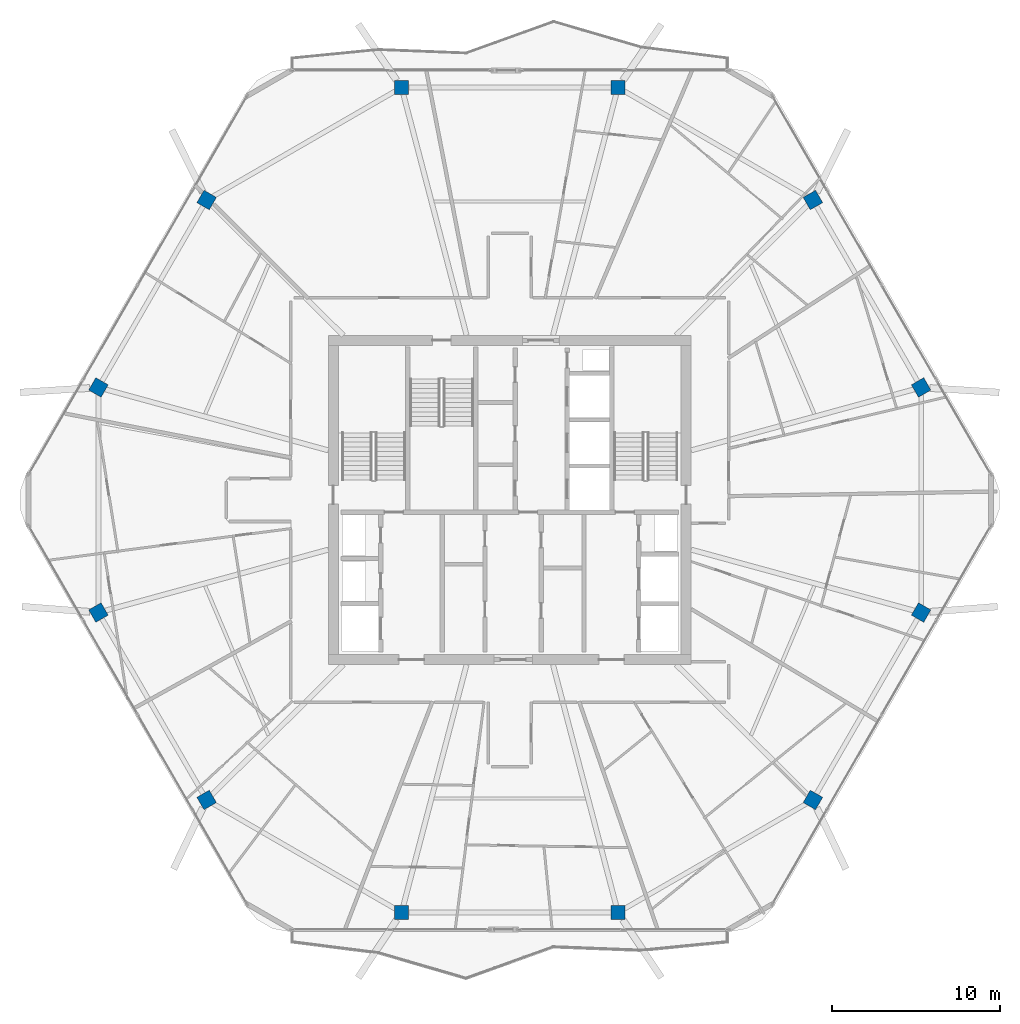
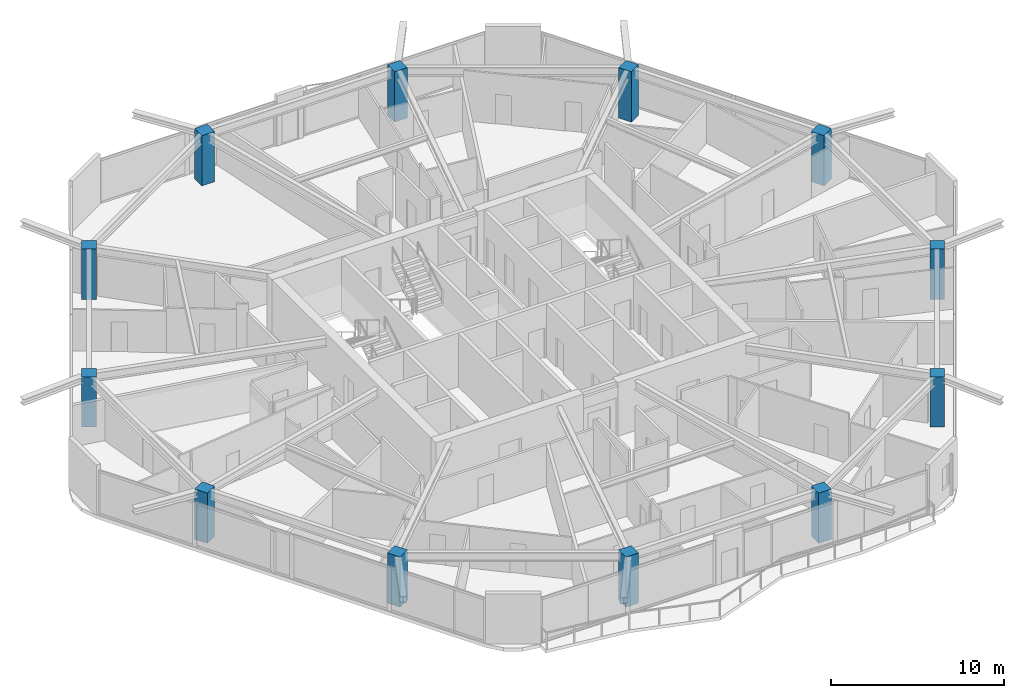
# One storey, part 1 of 26: 12 columns.
"""IFC4 building model written with IfcOpenShell, lengths in metres."""

from ifc_helpers import new_model, si_unit, direction, frame, origin, origin_2d, place, context, subcontext, project, spatial, rectangle, extrude, material, material_profile, profile_set, type_object, element, save


model = new_model("IFC4")

# Units and contexts
model_context = context("Model", 3, precision=1e-05, world=origin(), true_north=direction((0.0, 1.0)))
body_context = subcontext(model_context, "Body", "Model", "MODEL_VIEW")
ifc_project = project(units=[si_unit("LENGTHUNIT", "METRE"), si_unit("AREAUNIT", "SQUARE_METRE"), si_unit("VOLUMEUNIT", "CUBIC_METRE"), si_unit("PLANEANGLEUNIT", "RADIAN"), si_unit("MASSUNIT", "GRAM", prefix="KILO")], contexts=[model_context])

# Site, building, storey
site_placement = place(None, origin())
site = spatial("IfcSite", under=ifc_project, at=site_placement, CompositionType="ELEMENT")
building_placement = place(site_placement, origin())
building = spatial("IfcBuilding", under=site, at=building_placement, Name="Zuhravey Tower", CompositionType="ELEMENT")
storey_placement = place(building_placement, frame((0.0, 0.0, 288.199951171875)))
storey = spatial("IfcBuildingStorey", under=building, at=storey_placement, Name="L73", CompositionType="ELEMENT", Elevation=288.199951171875)

# Columns
ifc_material = material(Name="Concrete C50/60", Category="concrete")
ifc_material_profile = material_profile(ifc_material, rectangle(XDim=0.85009765625, YDim=0.85009765625, at=origin_2d()), Name="RC-850x850")
ifc_profile_set = profile_set([ifc_material_profile], Name="Concrete C50/60")
column_type = type_object("IfcColumnType", Name="Zone 3 Upper Column 850x850", PredefinedType="COLUMN", material=ifc_profile_set)
for number, where, z_axis, x_axis, name in (
    (1, (60.484619140625, 38.698974609375, 0.0), (0.0, 0.0, 1.0), (-0.5, 0.866025403784, 0.0), "L73 Perimeter Column PC01"),
    (2, (54.043701171875, 49.854736328125, 0.0), (0.0, 0.0, 1.0), (-0.5, 0.866025403784, 0.0), "L73 Perimeter Column PC02"),
    (3, (42.44091796875, 56.5537109375, 0.0), (0.0, 0.0, 1.0), (-1.0, 0.0, 0.0), "L73 Perimeter Column PC03"),
    (4, (29.55908203125, 56.5537109375, 0.0), (0.0, 0.0, 1.0), (-1.0, 0.0, 0.0), "L73 Perimeter Column PC04"),
    (5, (17.956298828125, 49.854736328125, 0.0), (0.0, 0.0, 1.0), (-0.5, -0.866025403784, 0.0), "L73 Perimeter Column PC05"),
    (6, (11.515380859375, 38.698974609375, 0.0), (0.0, 0.0, 1.0), (-0.5, -0.866025403784, 0.0), "L73 Perimeter Column PC06"),
    (7, (11.515380859375, 25.301025390625, 0.0), (0.0, 0.0, 1.0), (0.5, -0.866025403784, 0.0), "L73 Perimeter Column PC07"),
    (8, (17.956298828125, 14.145263671875, 0.0), (0.0, 0.0, 1.0), (0.5, -0.866025403784, 0.0), "L73 Perimeter Column PC08"),
    (9, (29.55908203125, 7.4462890625, 0.0), (0.0, 0.0, 1.0), (1.0, 0.0, 0.0), "L73 Perimeter Column PC09"),
    (10, (42.44091796875, 7.4462890625, 0.0), (0.0, 0.0, 1.0), (1.0, 0.0, 0.0), "L73 Perimeter Column PC10"),
    (11, (54.043701171875, 14.145263671875, 0.0), (0.0, 0.0, 1.0), (0.5, 0.866025403784, 0.0), "L73 Perimeter Column PC11"),
    (12, (60.484619140625, 25.301025390625, 0.0), (0.0, 0.0, 1.0), (0.5, 0.866025403784, 0.0), "L73 Perimeter Column PC12"),
):
    element("IfcColumn", number, at=place(storey_placement, frame(where, z_axis=z_axis, x_axis=x_axis)), inside=storey, type_object=column_type, Name=name, PredefinedType="COLUMN", context=body_context, shape_type="SweptSolid", body=[
        extrude(rectangle(XDim=0.85009765625, YDim=0.85009765625, at=origin_2d()), origin(), (0.0, 0.0, 1.0), 3.550048828125),
    ])

save(model, "model.ifc")
